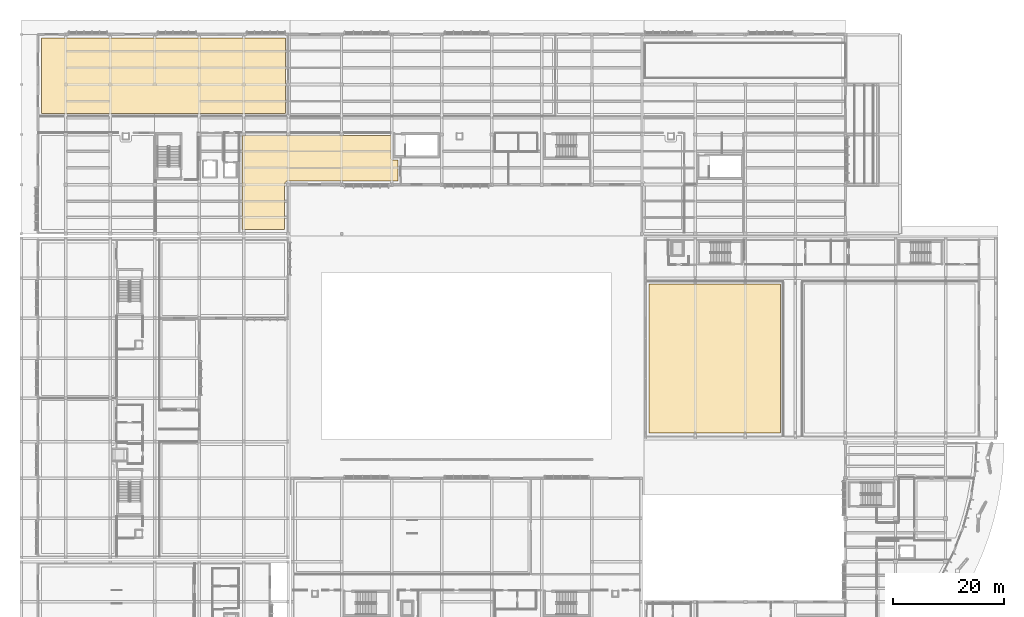
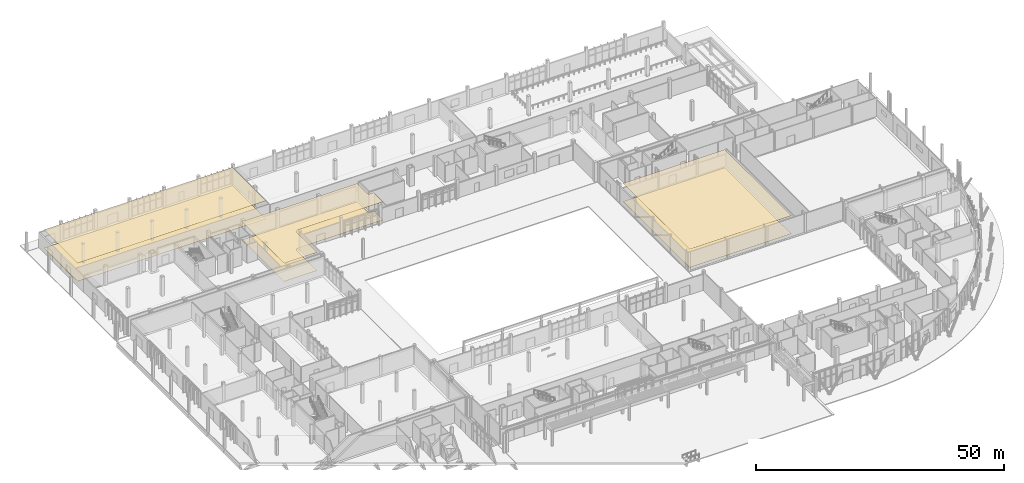
# One storey, part 142 of 151: 6 coverings.
"""IFC4 building model written with IfcOpenShell, lengths in metres."""

from ifc_helpers import new_model, si_unit, direction, frame, origin, place, context, subcontext, project, spatial, polyline, outline, extrude, material, layer, layer_set, type_object, element, save


model = new_model("IFC4")

# Units and contexts
model_context = context("Model", 3, precision=1e-05, world=origin(), true_north=direction((0.0, 1.0)))
body_context = subcontext(model_context, "Body", "Model", "MODEL_VIEW")
ifc_project = project(units=[si_unit("LENGTHUNIT", "METRE"), si_unit("AREAUNIT", "SQUARE_METRE"), si_unit("VOLUMEUNIT", "CUBIC_METRE"), si_unit("PLANEANGLEUNIT", "RADIAN"), si_unit("MASSUNIT", "GRAM", prefix="KILO")], contexts=[model_context])

# Site, building, storey
site_placement = place(None, origin())
site = spatial("IfcSite", under=ifc_project, at=site_placement, CompositionType="ELEMENT")
building_placement = place(site_placement, origin())
building = spatial("IfcBuilding", under=site, at=building_placement, Name="Chiffa Square Polytechnic", CompositionType="ELEMENT")
storey_placement = place(building_placement, origin())
storey = spatial("IfcBuildingStorey", under=building, at=storey_placement, Name="L00", CompositionType="ELEMENT", Elevation=0.0)

# Coverings
ifc_material_1 = material(Name="Perforated gypsum acoustic board")
ifc_layer_1 = layer(ifc_material_1, 0.02490234375, Name="Perforated gypsum acoustic board")
ifc_layer_set_1 = layer_set([ifc_layer_1], Name="Perforated gypsum acoustic board")
covering_type_1 = type_object("IfcCoveringType", Name="COV-CEIL-GYP", PredefinedType="CEILING", material=ifc_layer_set_1)
covering_1_placement = place(storey_placement, frame((0.0, 0.0, 4.4970703125)))
element("IfcCovering", 1, at=covering_1_placement, inside=storey, type_object=covering_type_1, Name="Suspended acoustic ceiling CL-V2-L00-006", PredefinedType="CEILING", context=body_context, shape_type="SweptSolid", body=[
    extrude(outline(polyline([(136.550048828125, 85.949951171875), (136.550048828125, 59.1201171875), (112.8701171875, 59.1201171875), (112.8701171875, 85.949951171875), (136.550048828125, 85.949951171875)])), origin(), (0.0, 0.0, 1.0), 0.02490234375),
])
covering_2_placement = place(storey_placement, frame((0.0, 0.0, 4.4970703125)))
element("IfcCovering", 2, at=covering_2_placement, inside=storey, type_object=covering_type_1, Name="Suspended acoustic ceiling CL-V5-L00-012", PredefinedType="CEILING", context=body_context, shape_type="SweptSolid", body=[
    extrude(outline(polyline([(47.550048828125, 116.550048828125), (3.669921875, 116.550048828125), (3.669921875, 130.1298828125), (47.550048828125, 130.1298828125), (47.550048828125, 116.550048828125)])), origin(), (0.0, 0.0, 1.0), 0.02490234375),
])
covering_3_placement = place(storey_placement, frame((0.0, 0.0, 4.4970703125)))
element("IfcCovering", 3, at=covering_3_placement, inside=storey, type_object=covering_type_1, Name="Suspended acoustic ceiling CL-V5-L00-014", PredefinedType="CEILING", context=body_context, shape_type="SweptSolid", body=[
    extrude(outline(polyline([(39.64990234375, 112.64990234375), (66.449951171875, 112.64990234375), (66.449951171875, 108.64990234375), (66.451904296875, 108.60595703125), (66.458984375, 108.56201171875), (66.468994140625, 108.51904296875), (66.48388671875, 108.47802734375), (66.5029296875, 108.43798828125), (66.52587890625, 108.39990234375), (66.552001953125, 108.364990234375), (66.58203125, 108.33203125), (66.614990234375, 108.302001953125), (66.64990234375, 108.27587890625), (66.68798828125, 108.2529296875), (66.72802734375, 108.23388671875), (66.76904296875, 108.218994140625), (66.81201171875, 108.208984375), (66.85595703125, 108.201904296875), (66.89990234375, 108.199951171875), (67.75, 108.199951171875), (67.75, 104.469970703125), (48.0, 104.469970703125), (47.97802734375, 104.468994140625), (47.9560546875, 104.468017578125), (47.912109375, 104.464111328125), (47.89111328125, 104.4609375), (47.847900390625, 104.451904296875), (47.826904296875, 104.447021484375), (47.784912109375, 104.43408203125), (47.763916015625, 104.427001953125), (47.722900390625, 104.409912109375), (47.7041015625, 104.40087890625), (47.6650390625, 104.3798828125), (47.64599609375, 104.368896484375), (47.610107421875, 104.343994140625), (47.592041015625, 104.33203125), (47.55810546875, 104.302978515625), (47.5419921875, 104.2890625), (47.510986328125, 104.258056640625), (47.4970703125, 104.241943359375), (47.468017578125, 104.2080078125), (47.4560546875, 104.18994140625), (47.430908203125, 104.154052734375), (47.419921875, 104.135009765625), (47.39892578125, 104.095947265625), (47.389892578125, 104.076904296875), (47.373046875, 104.035888671875), (47.365966796875, 104.014892578125), (47.35302734375, 103.972900390625), (47.347900390625, 103.951904296875), (47.339111328125, 103.908935546875), (47.3359375, 103.887939453125), (47.33203125, 103.843994140625), (47.3310546875, 103.822021484375), (47.330078125, 103.800048828125), (47.330078125, 95.719970703125), (39.64990234375, 95.719970703125), (39.64990234375, 112.64990234375)])), origin(), (0.0, 0.0, 1.0), 0.02490234375),
])
ifc_material_2 = material(Name="Polished cementitious terrazzo")
ifc_layer_2 = layer(ifc_material_2, 0.0400390625, Name="Polished cementitious terrazzo")
ifc_layer_set_2 = layer_set([ifc_layer_2], Name="Polished cementitious terrazzo")
covering_type_2 = type_object("IfcCoveringType", Name="COV-FLR-TERRAZZO", PredefinedType="FLOORING", material=ifc_layer_set_2)
covering_4_placement = place(storey_placement, origin())
element("IfcCovering", 4, at=covering_4_placement, inside=storey, type_object=covering_type_2, Name="Polished terrazzo floor finish FL-V2-L00-004", PredefinedType="FLOORING", context=body_context, shape_type="SweptSolid", body=[
    extrude(outline(polyline([(136.550048828125, 85.949951171875), (136.550048828125, 59.1201171875), (112.8701171875, 59.1201171875), (112.8701171875, 85.949951171875), (136.550048828125, 85.949951171875)])), origin(), (0.0, 0.0, 1.0), 0.0400390625),
])
covering_5_placement = place(storey_placement, origin())
element("IfcCovering", 5, at=covering_5_placement, inside=storey, type_object=covering_type_2, Name="Polished terrazzo floor finish FL-V5-L00-011", PredefinedType="FLOORING", context=body_context, shape_type="SweptSolid", body=[
    extrude(outline(polyline([(47.550048828125, 116.550048828125), (3.669921875, 116.550048828125), (3.669921875, 130.1298828125), (47.550048828125, 130.1298828125), (47.550048828125, 116.550048828125)])), origin(), (0.0, 0.0, 1.0), 0.0400390625),
])
covering_6_placement = place(storey_placement, origin())
element("IfcCovering", 6, at=covering_6_placement, inside=storey, type_object=covering_type_2, Name="Polished terrazzo floor finish FL-V5-L00-013", PredefinedType="FLOORING", context=body_context, shape_type="SweptSolid", body=[
    extrude(outline(polyline([(39.64990234375, 112.64990234375), (66.449951171875, 112.64990234375), (66.449951171875, 108.64990234375), (66.451904296875, 108.60595703125), (66.458984375, 108.56201171875), (66.468994140625, 108.51904296875), (66.48388671875, 108.47802734375), (66.5029296875, 108.43798828125), (66.52587890625, 108.39990234375), (66.552001953125, 108.364990234375), (66.58203125, 108.33203125), (66.614990234375, 108.302001953125), (66.64990234375, 108.27587890625), (66.68798828125, 108.2529296875), (66.72802734375, 108.23388671875), (66.76904296875, 108.218994140625), (66.81201171875, 108.208984375), (66.85595703125, 108.201904296875), (66.89990234375, 108.199951171875), (67.75, 108.199951171875), (67.75, 104.469970703125), (48.0, 104.469970703125), (47.97802734375, 104.468994140625), (47.9560546875, 104.468017578125), (47.912109375, 104.464111328125), (47.89111328125, 104.4609375), (47.847900390625, 104.451904296875), (47.826904296875, 104.447021484375), (47.784912109375, 104.43408203125), (47.763916015625, 104.427001953125), (47.722900390625, 104.409912109375), (47.7041015625, 104.40087890625), (47.6650390625, 104.3798828125), (47.64599609375, 104.368896484375), (47.610107421875, 104.343994140625), (47.592041015625, 104.33203125), (47.55810546875, 104.302978515625), (47.5419921875, 104.2890625), (47.510986328125, 104.258056640625), (47.4970703125, 104.241943359375), (47.468017578125, 104.2080078125), (47.4560546875, 104.18994140625), (47.430908203125, 104.154052734375), (47.419921875, 104.135009765625), (47.39892578125, 104.095947265625), (47.389892578125, 104.076904296875), (47.373046875, 104.035888671875), (47.365966796875, 104.014892578125), (47.35302734375, 103.972900390625), (47.347900390625, 103.951904296875), (47.339111328125, 103.908935546875), (47.3359375, 103.887939453125), (47.33203125, 103.843994140625), (47.3310546875, 103.822021484375), (47.330078125, 103.800048828125), (47.330078125, 95.719970703125), (39.64990234375, 95.719970703125), (39.64990234375, 112.64990234375)])), origin(), (0.0, 0.0, 1.0), 0.0400390625),
])

save(model, "model.ifc")
